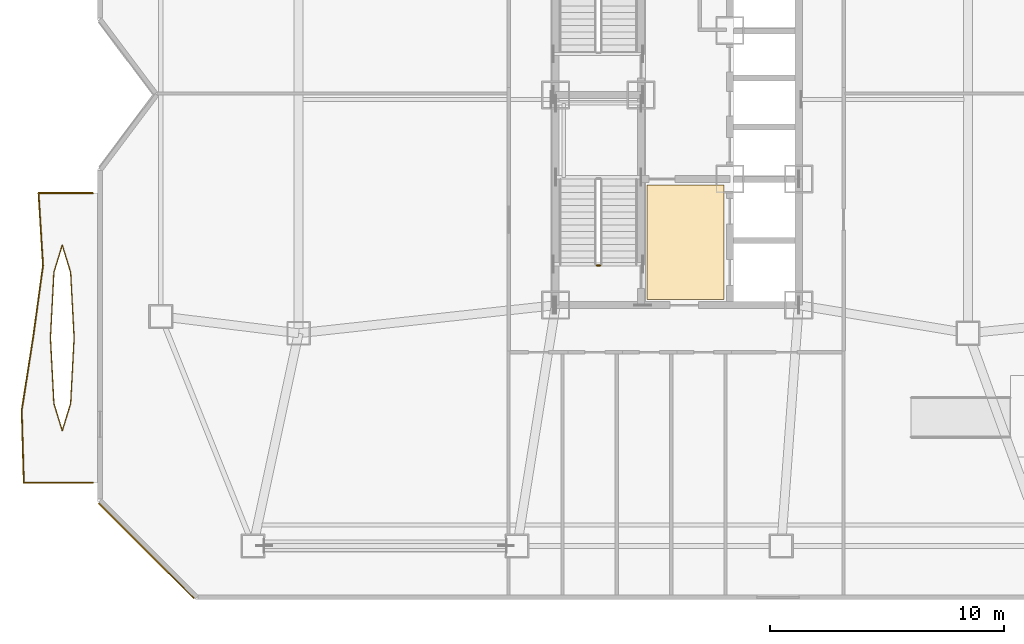
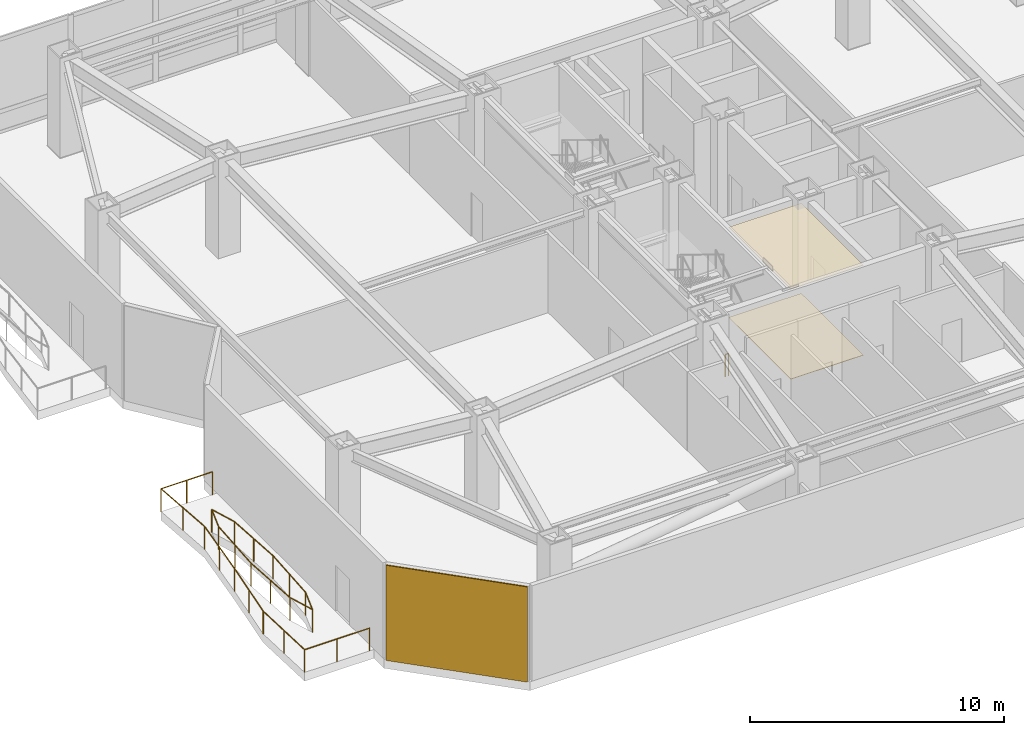
# One storey, part 11 of 14: 5 railings, 3 coverings.
"""IFC4 building model written with IfcOpenShell, lengths in metres."""

from ifc_helpers import new_model, si_unit, direction, frame, origin, origin_2d, place, context, subcontext, project, spatial, polyline, rectangle, circle, outline, extrude, material, layer, layer_set, type_object, element, save


model = new_model("IFC4")

# Units and contexts
model_context = context("Model", 3, precision=1e-05, world=origin(), true_north=direction((0.0, 1.0)))
body_context = subcontext(model_context, "Body", "Model", "MODEL_VIEW")
ifc_project = project(units=[si_unit("LENGTHUNIT", "METRE"), si_unit("AREAUNIT", "SQUARE_METRE"), si_unit("VOLUMEUNIT", "CUBIC_METRE"), si_unit("PLANEANGLEUNIT", "RADIAN"), si_unit("MASSUNIT", "GRAM", prefix="KILO")], contexts=[model_context])

# Site, building, storey
site_placement = place(None, origin())
site = spatial("IfcSite", under=ifc_project, at=site_placement, CompositionType="ELEMENT")
building_placement = place(site_placement, origin())
building = spatial("IfcBuilding", under=site, at=building_placement, Name="Khamvora Tower", CompositionType="ELEMENT")
storey_placement = place(building_placement, frame((0.0, 0.0, 89.800048828125)))
storey = spatial("IfcBuildingStorey", under=building, at=storey_placement, Name="L22", CompositionType="ELEMENT", Elevation=89.800048828125)

# Coverings
ifc_material_1 = material(Name="Perforated Mineral-Fibre Acoustic Ceiling Tile", Category="gypsum")
ifc_layer_1 = layer(ifc_material_1, 0.02490234375)
ifc_layer_set_1 = layer_set([ifc_layer_1], Name="Perforated Mineral-Fibre Acoustic Ceiling Tile")
covering_type_1 = type_object("IfcCoveringType", Name="COV-CEIL-600", PredefinedType="CEILING", material=ifc_layer_set_1)
covering_1_placement = place(storey_placement, frame((0.0, 0.0, 4.329833984375)))
element("IfcCovering", 1, at=covering_1_placement, inside=storey, type_object=covering_type_1, Name="L22 core lobby suspended acoustic ceiling", PredefinedType="CEILING", context=body_context, shape_type="SweptSolid", body=[
    extrude(outline(polyline([(32.89990234375, 19.25), (36.199951171875, 19.25), (36.199951171875, 24.14990234375), (32.89990234375, 24.14990234375), (32.89990234375, 19.25)])), origin(), (0.0, 0.0, 1.0), 0.025146484375),
])
ifc_material_2 = material(Name="Anodised Bronze Aluminium Spandrel Panel", Category="aluminium")
ifc_layer_2 = layer(ifc_material_2, 0.054931640625)
ifc_layer_set_2 = layer_set([ifc_layer_2], Name="Anodised Bronze Aluminium Spandrel Panel")
covering_type_2 = type_object("IfcCoveringType", Name="COV-CLD-BRZ", PredefinedType="CLADDING", material=ifc_layer_set_2)
covering_2_placement = place(storey_placement, frame((11.487060546875, 8.487060546875, 0.0), z_axis=(0.0, 0.0, 1.0), x_axis=(-0.707106781187, 0.707106781187, 0.0)))
element("IfcCovering", 2, at=covering_2_placement, inside=storey, type_object=covering_type_2, Name="L22 chamfer rainscreen cladding 01.1", PredefinedType="CLADDING", context=body_context, shape_type="SweptSolid", body=[
    extrude(rectangle(XDim=5.756103515625, YDim=0.054931640625, at=origin_2d()), origin(), (0.0, 0.0, 1.0), 4.580078125),
])
ifc_material_3 = material(Name="Honed Terrazzo Stone Tile", Category="masonry")
ifc_layer_3 = layer(ifc_material_3, 0.02001953125)
ifc_layer_set_3 = layer_set([ifc_layer_3], Name="Honed Terrazzo Stone Tile")
covering_type_3 = type_object("IfcCoveringType", Name="COV-FLOR-20", PredefinedType="FLOORING", material=ifc_layer_set_3)
covering_3_placement = place(storey_placement, origin())
element("IfcCovering", 3, at=covering_3_placement, inside=storey, type_object=covering_type_3, Name="L22 lift lobby terrazzo flooring", PredefinedType="FLOORING", context=body_context, shape_type="SweptSolid", body=[
    extrude(outline(polyline([(32.89990234375, 19.25), (36.199951171875, 19.25), (36.199951171875, 24.14990234375), (32.89990234375, 24.14990234375), (32.89990234375, 19.25)])), origin(), (0.0, 0.0, 1.0), 0.02001953125),
])

# Railings
ifc_material_4 = material(Name="Stainless Steel 316 and Laminated Glass", Category="steel")
railing_type_1 = type_object("IfcRailingType", Name="RAL-GAL-1120", PredefinedType="GUARDRAIL", material=ifc_material_4)
railing_1_placement = place(storey_placement, frame((9.199951171875, 11.39990234375, 0.0)))
element("IfcRailing", 4, at=railing_1_placement, inside=storey, type_object=railing_type_1, Name="L22 lens gallery south perimeter guardrail WL1", PredefinedType="GUARDRAIL", context=body_context, shape_type="SweptSolid", body=[
    extrude(circle(Radius=0.02392578125, at=origin_2d()), frame((0.0, 0.0, 1.09619140625), z_axis=(-1.0, 0.0, 0.0), x_axis=(0.0, -1.0, 0.0)), (0.0, 0.0, 1.0), 2.9619140625),
    extrude(circle(Radius=0.02392578125, at=origin_2d()), frame((-2.9619140625, 0.0, 1.09619140625), z_axis=(-0.029047432246, 0.999578034312, 0.0), x_axis=(-0.999578034312, -0.029047432246, 0.0)), (0.0, 0.0, 1.0), 3.101318359375),
    extrude(circle(Radius=0.02392578125, at=origin_2d()), frame((-3.052001953125, 3.10009765625, 1.09619140625), z_axis=(0.154599983709, 0.987977148034, 0.0), x_axis=(-0.987977148034, 0.154599983709, 0.0)), (0.0, 0.0, 1.0), 3.137939453125),
    extrude(circle(Radius=0.02099609375, at=origin_2d()), origin(), (0.0, 0.0, 1.0), 1.072021484375),
    extrude(circle(Radius=0.02099609375, at=origin_2d()), frame((-1.48095703125, 0.0, 0.0)), (0.0, 0.0, 1.0), 1.072021484375),
    extrude(circle(Radius=0.02099609375, at=origin_2d()), frame((-2.9619140625, 0.0, 0.0)), (0.0, 0.0, 1.0), 1.072021484375),
    extrude(circle(Radius=0.02099609375, at=origin_2d()), frame((-3.0068359375, 1.550048828125, 0.0)), (0.0, 0.0, 1.0), 1.072021484375),
    extrude(circle(Radius=0.02099609375, at=origin_2d()), frame((-3.052001953125, 3.10009765625, 0.0)), (0.0, 0.0, 1.0), 1.072021484375),
    extrude(circle(Radius=0.02099609375, at=origin_2d()), frame((-2.8095703125, 4.650146484375, 0.0)), (0.0, 0.0, 1.0), 1.072021484375),
    extrude(circle(Radius=0.02099609375, at=origin_2d()), frame((-2.56689453125, 6.2001953125, 0.0)), (0.0, 0.0, 1.0), 1.072021484375),
])
railing_2_placement = place(storey_placement, frame((6.633056640625, 17.60009765625, 0.0)))
element("IfcRailing", 5, at=railing_2_placement, inside=storey, type_object=railing_type_1, Name="L22 lens gallery north perimeter guardrail WL1", PredefinedType="GUARDRAIL", context=body_context, shape_type="SweptSolid", body=[
    extrude(circle(Radius=0.02392578125, at=origin_2d()), frame((0.0, 0.0, 1.09619140625), z_axis=(0.136154206504, 0.990687656152, 0.0), x_axis=(-0.990687656152, 0.136154206504, 0.0)), (0.0, 0.0, 1.0), 3.12890625),
    extrude(circle(Radius=0.02392578125, at=origin_2d()), frame((0.426025390625, 3.099853515625, 1.09619140625), z_axis=(-0.061546354471, 0.998104226146, 0.0), x_axis=(-0.998104226146, -0.061546354471, 0.0)), (0.0, 0.0, 1.0), 3.10595703125),
    extrude(circle(Radius=0.02392578125, at=origin_2d()), frame((0.23486328125, 6.199951171875, 1.09619140625), z_axis=(1.0, 0.0, 0.0), x_axis=(0.0, 1.0, 0.0)), (0.0, 0.0, 1.0), 2.33203125),
    extrude(circle(Radius=0.02099609375, at=origin_2d()), origin(), (0.0, 0.0, 1.0), 1.072021484375),
    extrude(circle(Radius=0.02099609375, at=origin_2d()), frame((0.212890625, 1.5498046875, 0.0)), (0.0, 0.0, 1.0), 1.072021484375),
    extrude(circle(Radius=0.02099609375, at=origin_2d()), frame((0.426025390625, 3.099853515625, 0.0)), (0.0, 0.0, 1.0), 1.072021484375),
    extrude(circle(Radius=0.02099609375, at=origin_2d()), frame((0.33056640625, 4.64990234375, 0.0)), (0.0, 0.0, 1.0), 1.072021484375),
    extrude(circle(Radius=0.02099609375, at=origin_2d()), frame((0.23486328125, 6.199951171875, 0.0)), (0.0, 0.0, 1.0), 1.072021484375),
    extrude(circle(Radius=0.02099609375, at=origin_2d()), frame((1.40087890625, 6.199951171875, 0.0)), (0.0, 0.0, 1.0), 1.072021484375),
    extrude(circle(Radius=0.02099609375, at=origin_2d()), frame((2.56689453125, 6.199951171875, 0.0)), (0.0, 0.0, 1.0), 1.072021484375),
])
railing_3_placement = place(storey_placement, frame((8.388916015625, 17.60009765625, 0.0)))
element("IfcRailing", 6, at=railing_3_placement, inside=storey, type_object=railing_type_1, Name="L22 lens gallery void guardrail WL1A", PredefinedType="GUARDRAIL", context=body_context, shape_type="SweptSolid", body=[
    extrude(circle(Radius=0.02392578125, at=origin_2d()), frame((0.0, 0.0, 1.09619140625), z_axis=(-0.052654602562, 0.998612784231, 0.0), x_axis=(-0.998612784231, -0.052654602562, 0.0)), (0.0, 0.0, 1.0), 2.809814453125),
    extrude(circle(Radius=0.02392578125, at=origin_2d()), frame((-0.14794921875, 2.805908203125, 1.09619140625), z_axis=(-0.292871691974, 0.956151751575, 0.0), x_axis=(-0.956151751575, -0.292871691974, 0.0)), (0.0, 0.0, 1.0), 1.21533203125),
    extrude(circle(Radius=0.02392578125, at=origin_2d()), frame((-0.50390625, 3.968017578125, 1.09619140625), z_axis=(-0.292871691974, -0.956151751575, 0.0), x_axis=(0.956151751575, -0.292871691974, 0.0)), (0.0, 0.0, 1.0), 1.21533203125),
    extrude(circle(Radius=0.02392578125, at=origin_2d()), frame((-0.85986328125, 2.805908203125, 1.09619140625), z_axis=(-0.052654602562, -0.998612784231, 0.0), x_axis=(0.998612784231, -0.052654602562, 0.0)), (0.0, 0.0, 1.0), 2.809814453125),
    extrude(circle(Radius=0.02099609375, at=origin_2d()), origin(), (0.0, 0.0, 1.0), 1.072021484375),
    extrude(circle(Radius=0.02099609375, at=origin_2d()), frame((-0.073974609375, 1.40283203125, 0.0)), (0.0, 0.0, 1.0), 1.072021484375),
    extrude(circle(Radius=0.02099609375, at=origin_2d()), frame((-0.14794921875, 2.805908203125, 0.0)), (0.0, 0.0, 1.0), 1.072021484375),
    extrude(circle(Radius=0.02099609375, at=origin_2d()), frame((-0.50390625, 3.968017578125, 0.0)), (0.0, 0.0, 1.0), 1.072021484375),
    extrude(circle(Radius=0.02099609375, at=origin_2d()), frame((-0.85986328125, 2.805908203125, 0.0)), (0.0, 0.0, 1.0), 1.072021484375),
    extrude(circle(Radius=0.02099609375, at=origin_2d()), frame((-0.933837890625, 1.40283203125, 0.0)), (0.0, 0.0, 1.0), 1.072021484375),
    extrude(circle(Radius=0.02099609375, at=origin_2d()), frame((-1.0078125, 0.0, 0.0)), (0.0, 0.0, 1.0), 1.072021484375),
])
railing_4_placement = place(storey_placement, frame((7.381103515625, 17.60009765625, 0.0)))
element("IfcRailing", 7, at=railing_4_placement, inside=storey, type_object=railing_type_1, Name="L22 lens gallery void guardrail WL1B", PredefinedType="GUARDRAIL", context=body_context, shape_type="SweptSolid", body=[
    extrude(circle(Radius=0.02392578125, at=origin_2d()), frame((0.0, 0.0, 1.09619140625), z_axis=(0.05265003421, -0.998613025099, 0.0), x_axis=(0.998613025099, 0.05265003421, 0.0)), (0.0, 0.0, 1.0), 2.81005859375),
    extrude(circle(Radius=0.02392578125, at=origin_2d()), frame((0.14794921875, -2.80615234375, 1.09619140625), z_axis=(0.292927952476, -0.956134517031, 0.0), x_axis=(0.956134517031, 0.292927952476, 0.0)), (0.0, 0.0, 1.0), 1.215087890625),
    extrude(circle(Radius=0.02392578125, at=origin_2d()), frame((0.50390625, -3.968017578125, 1.09619140625), z_axis=(0.292927952476, 0.956134517031, 0.0), x_axis=(-0.956134517031, 0.292927952476, 0.0)), (0.0, 0.0, 1.0), 1.215087890625),
    extrude(circle(Radius=0.02392578125, at=origin_2d()), frame((0.85986328125, -2.80615234375, 1.09619140625), z_axis=(0.05265003421, 0.998613025099, 0.0), x_axis=(-0.998613025099, 0.05265003421, 0.0)), (0.0, 0.0, 1.0), 2.81005859375),
    extrude(circle(Radius=0.02099609375, at=origin_2d()), origin(), (0.0, 0.0, 1.0), 1.072021484375),
    extrude(circle(Radius=0.02099609375, at=origin_2d()), frame((0.073974609375, -1.403076171875, 0.0)), (0.0, 0.0, 1.0), 1.072021484375),
    extrude(circle(Radius=0.02099609375, at=origin_2d()), frame((0.14794921875, -2.80615234375, 0.0)), (0.0, 0.0, 1.0), 1.072021484375),
    extrude(circle(Radius=0.02099609375, at=origin_2d()), frame((0.50390625, -3.968017578125, 0.0)), (0.0, 0.0, 1.0), 1.072021484375),
    extrude(circle(Radius=0.02099609375, at=origin_2d()), frame((0.85986328125, -2.80615234375, 0.0)), (0.0, 0.0, 1.0), 1.072021484375),
    extrude(circle(Radius=0.02099609375, at=origin_2d()), frame((0.933837890625, -1.403076171875, 0.0)), (0.0, 0.0, 1.0), 1.072021484375),
    extrude(circle(Radius=0.02099609375, at=origin_2d()), frame((1.0078125, 0.0, 0.0)), (0.0, 0.0, 1.0), 1.072021484375),
])
ifc_material_5 = material(Name="Stainless Steel 316", Category="steel")
railing_type_2 = type_object("IfcRailingType", Name="RAL-STG-1100", PredefinedType="GUARDRAIL", material=ifc_material_5)
railing_5_placement = place(storey_placement, frame((30.89990234375, 20.699951171875, 0.0)))
element("IfcRailing", 8, at=railing_5_placement, inside=storey, type_object=railing_type_2, Name="L22 ST-01 stair guard 4", PredefinedType="GUARDRAIL", context=body_context, shape_type="SweptSolid", body=[
    extrude(circle(Radius=0.02392578125, at=origin_2d()), frame((0.0, 0.0, 1.076171875), z_axis=(-1.0, 0.0, 0.0), x_axis=(0.0, -1.0, 0.0)), (0.0, 0.0, 1.0), 0.14990234375),
    extrude(circle(Radius=0.02099609375, at=origin_2d()), origin(), (0.0, 0.0, 1.0), 1.052001953125),
    extrude(circle(Radius=0.02099609375, at=origin_2d()), frame((-0.14990234375, 0.0, 0.0)), (0.0, 0.0, 1.0), 1.052001953125),
])

save(model, "model.ifc")
